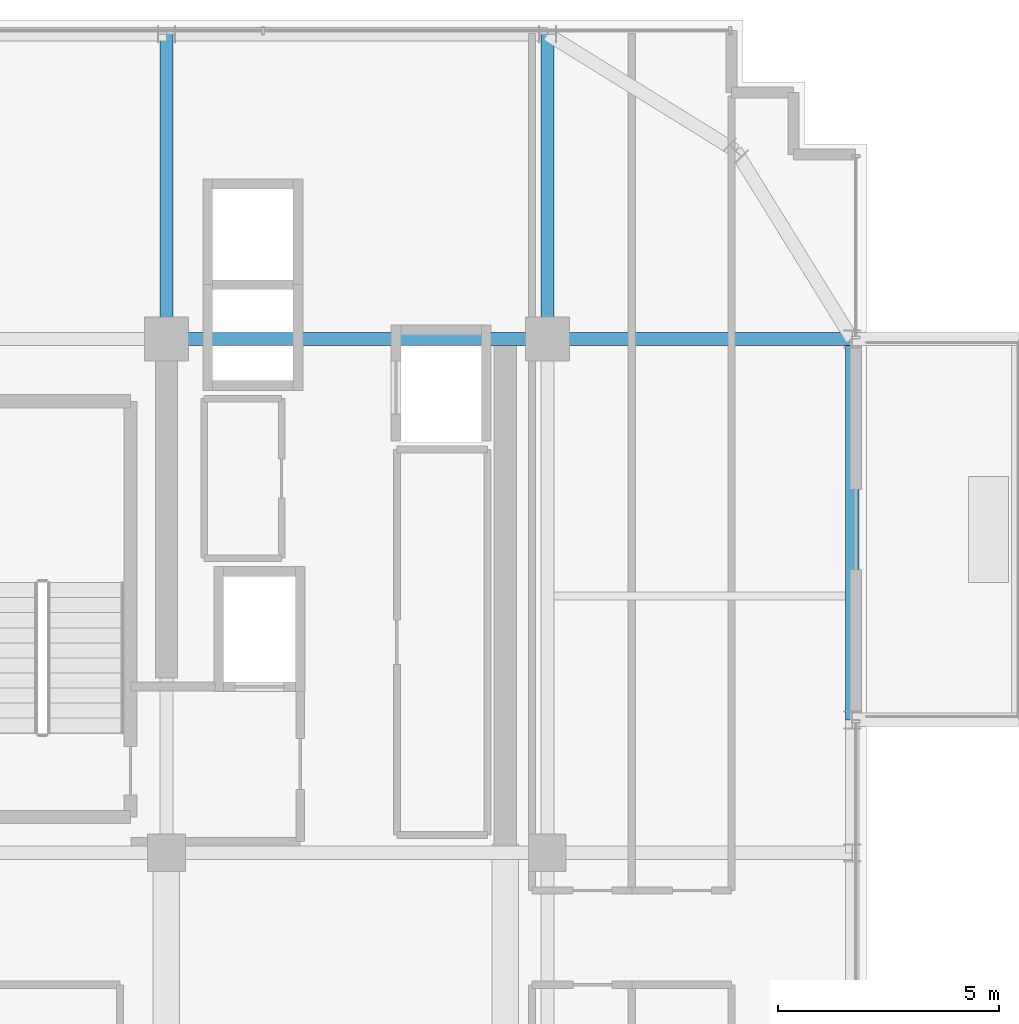
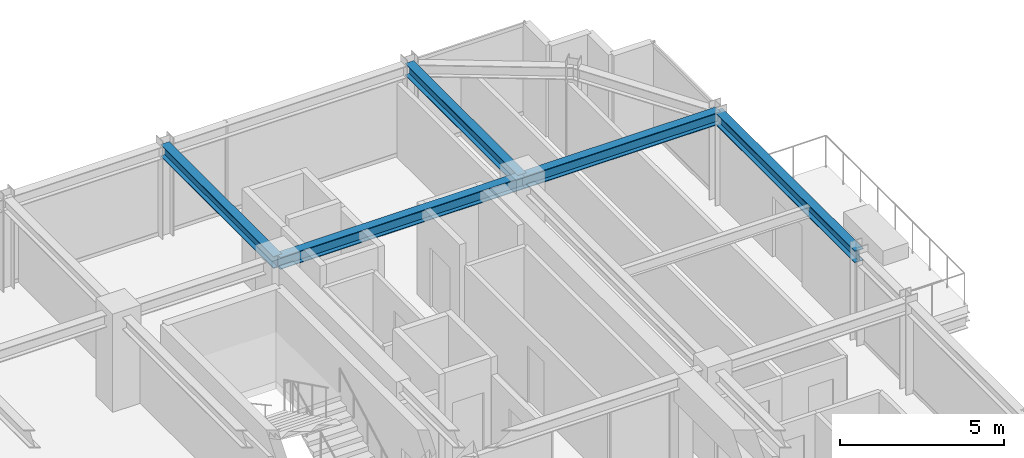
# One storey, part 24 of 34: 5 beams.
"""IFC4 building model written with IfcOpenShell, lengths in metres."""

from ifc_helpers import new_model, si_unit, direction, frame, origin, origin_2d, place, context, subcontext, project, spatial, i_section, extrude, source, transform, mapped, material, material_profile, profile_set, type_object, element, save


model = new_model("IFC4")

# Units and contexts
model_context = context("Model", 3, precision=1e-05, world=origin(), true_north=direction((0.0, 1.0)))
body_context = subcontext(model_context, "Body", "Model", "MODEL_VIEW")
ifc_project = project(units=[si_unit("LENGTHUNIT", "METRE"), si_unit("AREAUNIT", "SQUARE_METRE"), si_unit("VOLUMEUNIT", "CUBIC_METRE"), si_unit("PLANEANGLEUNIT", "RADIAN"), si_unit("MASSUNIT", "GRAM", prefix="KILO")], contexts=[model_context])

# Site, building, storey
site_placement = place(None, origin())
site = spatial("IfcSite", under=ifc_project, at=site_placement, CompositionType="ELEMENT")
building_placement = place(site_placement, origin())
building = spatial("IfcBuilding", under=site, at=building_placement, Name="Nahalor Promenade Grand Hotel", CompositionType="ELEMENT")
storey_placement = place(building_placement, frame((0.0, 0.0, 238.199951171875)))
storey = spatial("IfcBuildingStorey", under=building, at=storey_placement, Name="L61", CompositionType="ELEMENT", Elevation=238.199951171875)

# Beams
ifc_material = material(Name="Steel S355JR", Category="steel")
ifc_material_profile_1 = material_profile(ifc_material, i_section(OverallWidth=0.3, OverallDepth=0.45, WebThickness=0.014, FlangeThickness=0.026, at=origin_2d()), Name="HEB 450")
ifc_profile_set_1 = profile_set([ifc_material_profile_1], Name="Steel S355JR")
beam_type_1 = type_object("IfcBeamType", Name="Beam-Spandrel-HEB450", PredefinedType="SPANDREL", material=ifc_profile_set_1)
shared_shape_1 = source(origin(), body_context, "Body", "SweptSolid", [
    extrude(i_section(OverallWidth=0.3, OverallDepth=0.45, WebThickness=0.014, FlangeThickness=0.026, at=origin_2d()), origin(), (0.0, 0.0, 1.0), 8.60009765625),
])
beam_1_placement = place(storey_placement, frame((23.8798828125, 8.39990234375, 3.18505859375), z_axis=(0.0, 1.0, 0.0), x_axis=(-1.0, 0.0, 0.0)))
element("IfcBeam", 1, at=beam_1_placement, inside=storey, type_object=beam_type_1, Name="BM-L61-SP-E-4", PredefinedType="SPANDREL", context=body_context, shape_type="MappedRepresentation", body=[
    mapped(shared_shape_1, transform((0.0, 0.0, 0.0), scale=1.0)),
])
ifc_material_profile_2 = material_profile(ifc_material, i_section(OverallWidth=0.3, OverallDepth=0.45, WebThickness=0.014, FlangeThickness=0.026, at=origin_2d()), Name="HEB 450")
ifc_profile_set_2 = profile_set([ifc_material_profile_2], Name="Steel S355JR")
beam_type_2 = type_object("IfcBeamType", Name="Beam-Girder-HEB450", PredefinedType="BEAM", material=ifc_profile_set_2)
shared_shape_2 = source(origin(), body_context, "Body", "SweptSolid", [
    extrude(i_section(OverallWidth=0.3, OverallDepth=0.45, WebThickness=0.014, FlangeThickness=0.026, at=origin_2d()), origin(), (0.0, 0.0, 1.0), 6.8798828125),
])
for number, where, z_axis, x_axis, name in (
    (2, (17.0, 17.0, 3.18505859375), (1.0, 0.0, 0.0), (0.0, 1.0, 0.0), "BM-L61-GX-3-6"),
    (3, (8.39990234375, 17.0, 3.18505859375), (0.0, 1.0, 0.0), (-1.0, 0.0, 0.0), "BM-L61-GY-4-4"),
    (4, (17.0, 17.0, 3.18505859375), (0.0, 1.0, 0.0), (-1.0, 0.0, 0.0), "BM-L61-GY-5-4"),
):
    element("IfcBeam", number, at=place(storey_placement, frame(where, z_axis=z_axis, x_axis=x_axis)), inside=storey, type_object=beam_type_2, Name=name, PredefinedType="BEAM", context=body_context, shape_type="MappedRepresentation", body=[
        mapped(shared_shape_2, transform((0.0, 0.0, 0.0), scale=1.0)),
    ])
shared_shape_3 = source(origin(), body_context, "Body", "SweptSolid", [
    extrude(i_section(OverallWidth=0.3, OverallDepth=0.45, WebThickness=0.014, FlangeThickness=0.026, at=origin_2d()), origin(), (0.0, 0.0, 1.0), 8.60009765625),
])
beam_2_placement = place(storey_placement, frame((8.39990234375, 17.0, 3.18505859375), z_axis=(1.0, 0.0, 0.0), x_axis=(0.0, 1.0, 0.0)))
element("IfcBeam", 5, at=beam_2_placement, inside=storey, type_object=beam_type_2, Name="BM-L61-GX-3-5", PredefinedType="BEAM", context=body_context, shape_type="MappedRepresentation", body=[
    mapped(shared_shape_3, transform((0.0, 0.0, 0.0), scale=1.0)),
])

save(model, "model.ifc")
